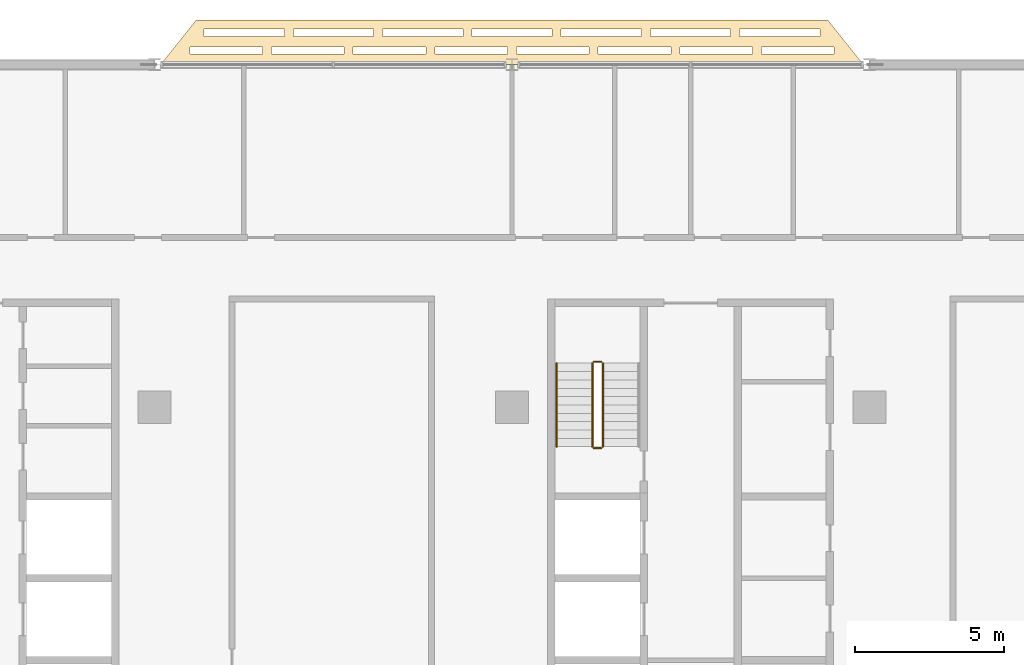
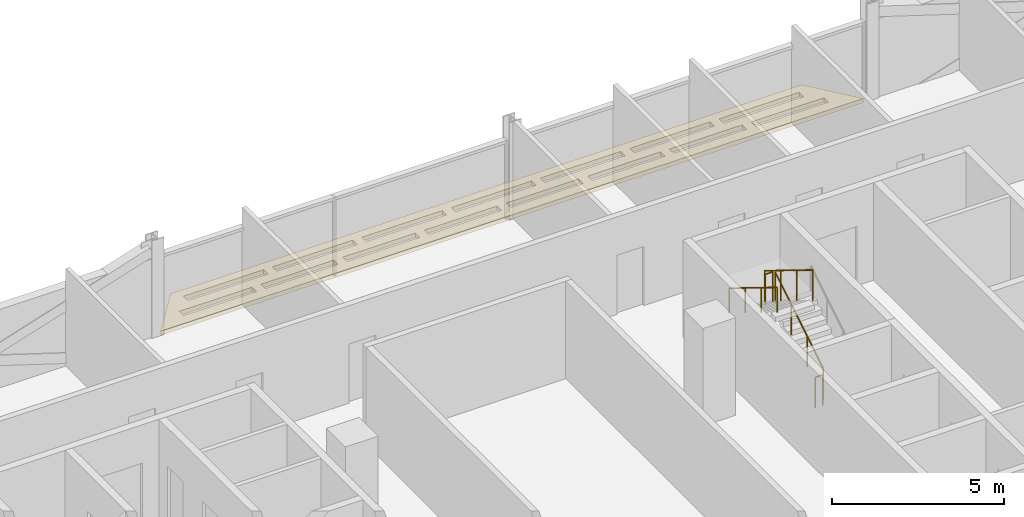
# One storey, part 28 of 30: 5 railings, 1 covering.
"""IFC4 building model written with IfcOpenShell, lengths in metres."""

from ifc_helpers import new_model, si_unit, direction, frame, origin, origin_2d, place, context, subcontext, project, spatial, polyline, circle, outline, extrude, material, layer, layer_set, type_object, element, save


model = new_model("IFC4")

# Units and contexts
model_context = context("Model", 3, precision=1e-05, world=origin(), true_north=direction((0.0, 1.0)))
body_context = subcontext(model_context, "Body", "Model", "MODEL_VIEW")
ifc_project = project(units=[si_unit("LENGTHUNIT", "METRE"), si_unit("AREAUNIT", "SQUARE_METRE"), si_unit("VOLUMEUNIT", "CUBIC_METRE"), si_unit("PLANEANGLEUNIT", "RADIAN"), si_unit("MASSUNIT", "GRAM", prefix="KILO")], contexts=[model_context])

# Site, building, storey
site_placement = place(None, origin())
site = spatial("IfcSite", under=ifc_project, at=site_placement, CompositionType="ELEMENT")
building_placement = place(site_placement, origin())
building = spatial("IfcBuilding", under=site, at=building_placement, Name="Mahtab Terrace Research Tower", CompositionType="ELEMENT")
storey_placement = place(building_placement, frame((0.0, 0.0, 216.699951171875)))
storey = spatial("IfcBuildingStorey", under=building, at=storey_placement, Name="L52", CompositionType="ELEMENT", Elevation=216.699951171875)

# Covering
ifc_material_1 = material(Name="Black anodised aluminium", Category="aluminium")
ifc_layer = layer(ifc_material_1, 0.14990234375)
ifc_layer_set = layer_set([ifc_layer], Name="Horizontal sunshade band")
covering_type = type_object("IfcCoveringType", Name="Horizontal sunshade band", PredefinedType="CLADDING", material=ifc_layer_set)
covering_placement = place(storey_placement, frame((0.0, 0.0, -0.14990234375)))
element("IfcCovering", 1, at=covering_placement, inside=storey, type_object=covering_type, Name="Sunshade band L52 5", PredefinedType="CLADDING", context=body_context, shape_type="SweptSolid", body=[
    extrude(outline(polyline([(29.800048828125, 23.0), (6.199951171875, 23.0), (7.39990234375, 24.5), (28.60009765625, 24.5), (29.800048828125, 23.0)]), holes=[polyline([(28.820068359375, 23.35009765625), (26.3779296875, 23.35009765625), (26.3779296875, 23.60009765625), (28.820068359375, 23.60009765625), (28.820068359375, 23.35009765625)]), polyline([(26.077880859375, 23.35009765625), (23.635009765625, 23.35009765625), (23.635009765625, 23.60009765625), (26.077880859375, 23.60009765625), (26.077880859375, 23.35009765625)]), polyline([(23.3349609375, 23.35009765625), (20.89306640625, 23.35009765625), (20.89306640625, 23.60009765625), (23.3349609375, 23.60009765625), (23.3349609375, 23.35009765625)]), polyline([(20.593017578125, 23.35009765625), (18.14990234375, 23.35009765625), (18.14990234375, 23.60009765625), (20.593017578125, 23.60009765625), (20.593017578125, 23.35009765625)]), polyline([(17.85009765625, 23.35009765625), (15.406982421875, 23.35009765625), (15.406982421875, 23.60009765625), (17.85009765625, 23.60009765625), (17.85009765625, 23.35009765625)]), polyline([(15.10791015625, 23.35009765625), (12.6650390625, 23.35009765625), (12.6650390625, 23.60009765625), (15.10791015625, 23.60009765625), (15.10791015625, 23.35009765625)]), polyline([(12.364990234375, 23.35009765625), (9.922119140625, 23.35009765625), (9.922119140625, 23.60009765625), (12.364990234375, 23.60009765625), (12.364990234375, 23.35009765625)]), polyline([(9.623046875, 23.35009765625), (7.179931640625, 23.35009765625), (7.179931640625, 23.60009765625), (9.623046875, 23.60009765625), (9.623046875, 23.35009765625)]), polyline([(28.340087890625, 23.949951171875), (25.64306640625, 23.949951171875), (25.64306640625, 24.199951171875), (28.340087890625, 24.199951171875), (28.340087890625, 23.949951171875)]), polyline([(25.343017578125, 23.949951171875), (22.64599609375, 23.949951171875), (22.64599609375, 24.199951171875), (25.343017578125, 24.199951171875), (25.343017578125, 23.949951171875)]), polyline([(22.345947265625, 23.949951171875), (19.64892578125, 23.949951171875), (19.64892578125, 24.199951171875), (22.345947265625, 24.199951171875), (22.345947265625, 23.949951171875)]), polyline([(19.34912109375, 23.949951171875), (16.65087890625, 23.949951171875), (16.65087890625, 24.199951171875), (19.34912109375, 24.199951171875), (19.34912109375, 23.949951171875)]), polyline([(16.35107421875, 23.949951171875), (13.654052734375, 23.949951171875), (13.654052734375, 24.199951171875), (16.35107421875, 24.199951171875), (16.35107421875, 23.949951171875)]), polyline([(13.35400390625, 23.949951171875), (10.656982421875, 23.949951171875), (10.656982421875, 24.199951171875), (13.35400390625, 24.199951171875), (13.35400390625, 23.949951171875)]), polyline([(10.35693359375, 23.949951171875), (7.659912109375, 23.949951171875), (7.659912109375, 24.199951171875), (10.35693359375, 24.199951171875), (10.35693359375, 23.949951171875)])]), origin(), (0.0, 0.0, 1.0), 0.14990234375),
])

# Railings
ifc_material_2 = material(Name="Stainless steel AISI 304", Category="steel")
railing_type_1 = type_object("IfcRailingType", Name="Stair guard 1100", PredefinedType="GUARDRAIL", material=ifc_material_2)
railing_1_placement = place(storey_placement, frame((21.050048828125, 10.175048828125, 0.1728515625)))
element("IfcRailing", 2, at=railing_1_placement, inside=storey, type_object=railing_type_1, Name="L52 ST3 stair guard 1", PredefinedType="GUARDRAIL", context=body_context, shape_type="SweptSolid", body=[
    extrude(circle(Radius=0.02392578125, at=origin_2d()), frame((0.0, 0.0, 1.076171875), z_axis=(0.0, 0.851089632645, 0.525020415988), x_axis=(-1.0, 0.0, 0.0)), (0.0, 0.0, 1.0), 3.2900390625),
    extrude(circle(Radius=0.02099609375, at=origin_2d()), origin(), (0.0, 0.0, 1.0), 1.052001953125),
    extrude(circle(Radius=0.02099609375, at=origin_2d()), frame((0.0, 0.933349609375, 0.57568359375)), (0.0, 0.0, 1.0), 1.052001953125),
    extrude(circle(Radius=0.02099609375, at=origin_2d()), frame((0.0, 1.86669921875, 1.151611328125)), (0.0, 0.0, 1.0), 1.052001953125),
    extrude(circle(Radius=0.02099609375, at=origin_2d()), frame((0.0, 2.800048828125, 1.727294921875)), (0.0, 0.0, 1.0), 1.052001953125),
])
railing_2_placement = place(storey_placement, frame((21.0, 13.02490234375, 1.900146484375)))
element("IfcRailing", 3, at=railing_2_placement, inside=storey, type_object=railing_type_1, Name="L52 ST3 stair guard 2", PredefinedType="GUARDRAIL", context=body_context, shape_type="SweptSolid", body=[
    extrude(circle(Radius=0.02392578125, at=origin_2d()), frame((0.0, 0.0, 1.076171875), z_axis=(-1.0, 0.0, 0.0), x_axis=(0.0, -1.0, 0.0)), (0.0, 0.0, 1.0), 0.25),
    extrude(circle(Radius=0.02099609375, at=origin_2d()), origin(), (0.0, 0.0, 1.0), 1.052001953125),
    extrude(circle(Radius=0.02099609375, at=origin_2d()), frame((-0.25, 0.0, 0.0)), (0.0, 0.0, 1.0), 1.052001953125),
])
railing_3_placement = place(storey_placement, frame((20.699951171875, 12.97509765625, 2.07275390625)))
element("IfcRailing", 4, at=railing_3_placement, inside=storey, type_object=railing_type_1, Name="L52 ST3 stair guard 3", PredefinedType="GUARDRAIL", context=body_context, shape_type="SweptSolid", body=[
    extrude(circle(Radius=0.02392578125, at=origin_2d()), frame((0.0, 0.0, 1.076171875), z_axis=(0.0, -0.851089632645, 0.525020415988), x_axis=(1.0, 0.0, 0.0)), (0.0, 0.0, 1.0), 3.2900390625),
    extrude(circle(Radius=0.02099609375, at=origin_2d()), origin(), (0.0, 0.0, 1.0), 1.052001953125),
    extrude(circle(Radius=0.02099609375, at=origin_2d()), frame((0.0, -0.933349609375, 0.57568359375)), (0.0, 0.0, 1.0), 1.052001953125),
    extrude(circle(Radius=0.02099609375, at=origin_2d()), frame((0.0, -1.86669921875, 1.151611328125)), (0.0, 0.0, 1.0), 1.052001953125),
    extrude(circle(Radius=0.02099609375, at=origin_2d()), frame((0.0, -2.800048828125, 1.727294921875)), (0.0, 0.0, 1.0), 1.052001953125),
])
railing_4_placement = place(storey_placement, frame((21.0, 10.125, 0.0)))
element("IfcRailing", 5, at=railing_4_placement, inside=storey, type_object=railing_type_1, Name="L52 ST3 stair guard 4", PredefinedType="GUARDRAIL", context=body_context, shape_type="SweptSolid", body=[
    extrude(circle(Radius=0.02392578125, at=origin_2d()), frame((0.0, 0.0, 1.076171875), z_axis=(-1.0, 0.0, 0.0), x_axis=(0.0, -1.0, 0.0)), (0.0, 0.0, 1.0), 0.25),
    extrude(circle(Radius=0.02099609375, at=origin_2d()), origin(), (0.0, 0.0, 1.0), 1.052001953125),
    extrude(circle(Radius=0.02099609375, at=origin_2d()), frame((-0.25, 0.0, 0.0)), (0.0, 0.0, 1.0), 1.052001953125),
])
railing_type_2 = type_object("IfcRailingType", Name="Stair handrail 900", PredefinedType="HANDRAIL", material=ifc_material_2)
railing_5_placement = place(storey_placement, frame((19.5, 12.97509765625, 2.07275390625)))
element("IfcRailing", 6, at=railing_5_placement, inside=storey, type_object=railing_type_2, Name="L52 ST3 stair handrail 2", PredefinedType="HANDRAIL", context=body_context, shape_type="SweptSolid", body=[
    extrude(circle(Radius=0.02392578125, at=origin_2d()), frame((0.0, 0.0, 0.8759765625), z_axis=(0.0, -0.851089632645, 0.525020415988), x_axis=(1.0, 0.0, 0.0)), (0.0, 0.0, 1.0), 3.2900390625),
    extrude(circle(Radius=0.02099609375, at=origin_2d()), origin(), (0.0, 0.0, 1.0), 0.851806640625),
    extrude(circle(Radius=0.02099609375, at=origin_2d()), frame((0.0, -0.933349609375, 0.57568359375)), (0.0, 0.0, 1.0), 0.851806640625),
    extrude(circle(Radius=0.02099609375, at=origin_2d()), frame((0.0, -1.86669921875, 1.151611328125)), (0.0, 0.0, 1.0), 0.851806640625),
    extrude(circle(Radius=0.02099609375, at=origin_2d()), frame((0.0, -2.800048828125, 1.727294921875)), (0.0, 0.0, 1.0), 0.851806640625),
])

save(model, "model.ifc")
